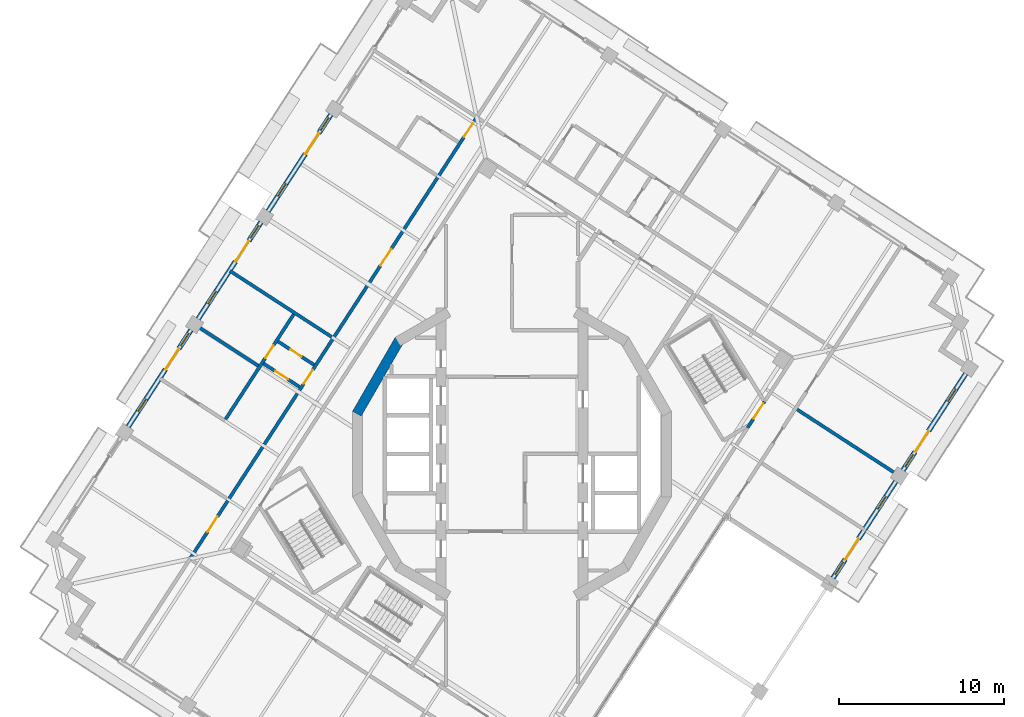
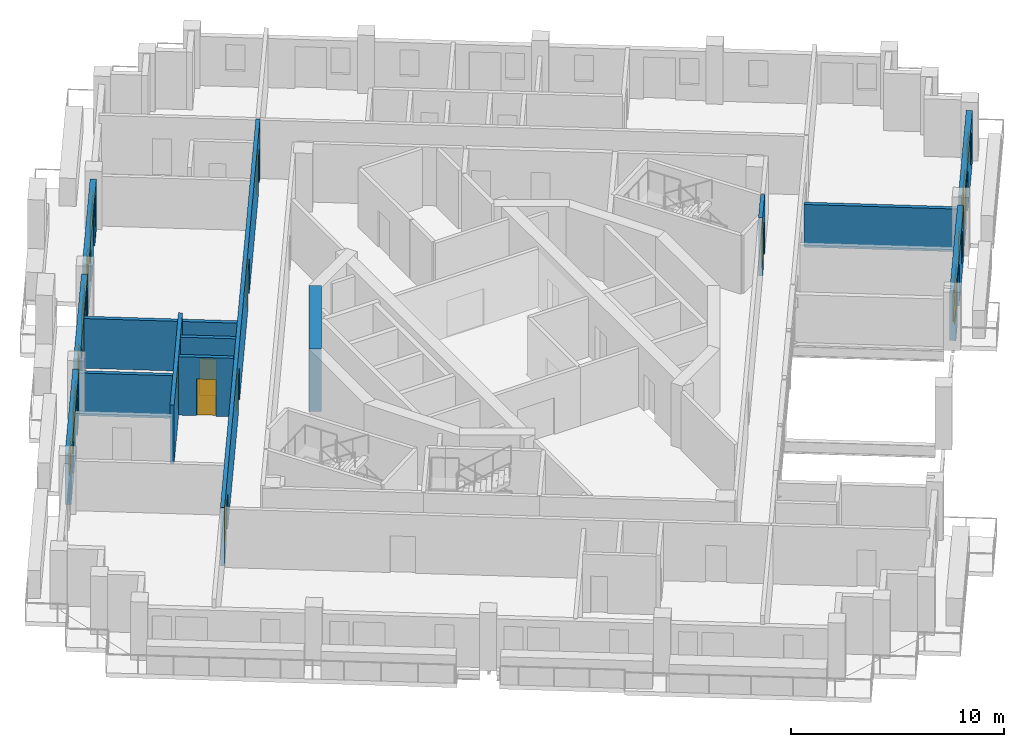
# One storey, part 8 of 17: 14 walls, 13 doors, 10 windows, 23 openings.
"""IFC4 building model written with IfcOpenShell, lengths in metres."""

from ifc_helpers import new_model, si_unit, direction, frame, frame_2d, origin, place, context, subcontext, project, spatial, rectangle, extrude, material, layer, layer_set, type_object, element, fill, save


model = new_model("IFC4")

# Units and contexts
model_context = context("Model", 3, precision=1e-05, world=origin(), true_north=direction((0.0, 1.0)))
body_context = subcontext(model_context, "Body", "Model", "MODEL_VIEW")
ifc_project = project(units=[si_unit("LENGTHUNIT", "METRE"), si_unit("AREAUNIT", "SQUARE_METRE"), si_unit("VOLUMEUNIT", "CUBIC_METRE"), si_unit("PLANEANGLEUNIT", "RADIAN"), si_unit("MASSUNIT", "GRAM", prefix="KILO")], contexts=[model_context])

# Site, building, storey
site_placement = place(None, origin())
site = spatial("IfcSite", under=ifc_project, at=site_placement, CompositionType="ELEMENT")
building_placement = place(site_placement, origin())
building = spatial("IfcBuilding", under=site, at=building_placement, Name="Cantera Rosa Tower", CompositionType="ELEMENT")
storey_placement = place(building_placement, frame((0.0, 0.0, 257.699951171875)))
storey = spatial("IfcBuildingStorey", under=building, at=storey_placement, Name="L57", CompositionType="ELEMENT", Elevation=257.699951171875)

# Wall, openings, doors
ifc_material_1 = material(Name="Gypsum board partition")
ifc_layer_1 = layer(ifc_material_1, 0.199951171875)
ifc_layer_set_1 = layer_set([ifc_layer_1], Name="CORRIDOR WALL 200 H3350")
wall_type_1 = type_object("IfcWallType", Name="CORRIDOR WALL 200 H3350", PredefinedType="PARTITIONING", material=ifc_layer_set_1)
wall_1_placement = place(storey_placement, frame((-2.1318359375, 20.402587890625, 0.0), z_axis=(0.0, 0.0, 1.0), x_axis=(-0.544643219415, -0.838667850549, 0.0)))
wall_1 = element("IfcWall", 1, at=wall_1_placement, inside=storey, type_object=wall_type_1, Name="CORRIDOR WALL L57-046", PredefinedType="PARTITIONING", context=body_context, shape_type="SweptSolid", body=[
    extrude(rectangle(XDim=31.880126953125, YDim=0.199951171875, at=frame_2d((15.93994140625, 0.0))), origin(), (0.0, 0.0, 1.0), 3.35009765625),
])
opening_1_placement = place(wall_1_placement, frame((9.514892578125, 0.0, 0.0)))
opening_1 = element("IfcOpeningElement", 2, at=opening_1_placement, cuts=wall_1, Name="Opening L57-027", PredefinedType="OPENING", context=body_context, shape_type="SweptSolid", body=[
    extrude(rectangle(XDim=1.199951171875, YDim=2.10009765625, at=frame_2d((0.60009765625, 1.050048828125))), frame((0.0, 0.10986328125, 0.0), z_axis=(0.0, -1.0, 0.0), x_axis=(1.0, 0.0, 0.0)), (0.0, 0.0, 1.0), 0.219970703125),
])
opening_2_placement = place(wall_1_placement, frame((18.25, 0.0, 0.0)))
opening_2 = element("IfcOpeningElement", 3, at=opening_2_placement, cuts=wall_1, Name="Opening L57-028", PredefinedType="OPENING", context=body_context, shape_type="SweptSolid", body=[
    extrude(rectangle(XDim=1.0, YDim=2.10009765625, at=frame_2d((0.5, 1.050048828125))), frame((0.0, 0.10986328125, 0.0), z_axis=(0.0, -1.0, 0.0), x_axis=(1.0, 0.0, 0.0)), (0.0, 0.0, 1.0), 0.219970703125),
])
opening_3_placement = place(wall_1_placement, frame((0.43994140625, 0.0, 0.0)))
opening_3 = element("IfcOpeningElement", 4, at=opening_3_placement, cuts=wall_1, Name="Opening L57-033", PredefinedType="OPENING", context=body_context, shape_type="SweptSolid", body=[
    extrude(rectangle(XDim=1.0, YDim=2.10009765625, at=frame_2d((0.5, 1.050048828125))), frame((0.0, 0.10986328125, 0.0), z_axis=(0.0, -1.0, 0.0), x_axis=(1.0, 0.0, 0.0)), (0.0, 0.0, 1.0), 0.219970703125),
])
opening_4_placement = place(wall_1_placement, frame((28.85009765625, 0.0, 0.0)))
opening_4 = element("IfcOpeningElement", 5, at=opening_4_placement, cuts=wall_1, Name="Opening L57-036", PredefinedType="OPENING", context=body_context, shape_type="SweptSolid", body=[
    extrude(rectangle(XDim=1.10009765625, YDim=2.10009765625, at=frame_2d((0.550048828125, 1.050048828125))), frame((0.0, 0.10986328125, 0.0), z_axis=(0.0, -1.0, 0.0), x_axis=(1.0, 0.0, 0.0)), (0.0, 0.0, 1.0), 0.219970703125),
])
ifc_material_2 = material(Name="Timber door leaf", Category="wood")
door_type_1 = type_object("IfcDoorType", Name="ENTRANCE DOOR 1000x2100", OperationType="NOTDEFINED", PredefinedType="DOOR", material=ifc_material_2)
door_1_placement = place(opening_2_placement, origin())
door_1 = element("IfcDoor", 6, at=door_1_placement, inside=storey, type_object=door_type_1, Name="DOOR L57-028", OperationType="NOTDEFINED", OverallHeight=2.10009765625, OverallWidth=1.0, PredefinedType="DOOR", context=body_context, shape_type="SweptSolid", body=[
    extrude(rectangle(XDim=1.0, YDim=2.10009765625, at=frame_2d((0.5, 1.050048828125))), frame((0.0, 0.02490234375, 0.0), z_axis=(0.0, -1.0, 0.0), x_axis=(1.0, 0.0, 0.0)), (0.0, 0.0, 1.0), 0.050048828125),
])
fill(opening_2, door_1)
door_2_placement = place(opening_3_placement, origin())
door_2 = element("IfcDoor", 7, at=door_2_placement, inside=storey, type_object=door_type_1, Name="DOOR L57-033", OperationType="NOTDEFINED", OverallHeight=2.10009765625, OverallWidth=1.0, PredefinedType="DOOR", context=body_context, shape_type="SweptSolid", body=[
    extrude(rectangle(XDim=1.0, YDim=2.10009765625, at=frame_2d((0.5, 1.050048828125))), frame((0.0, 0.02490234375, 0.0), z_axis=(0.0, -1.0, 0.0), x_axis=(1.0, 0.0, 0.0)), (0.0, 0.0, 1.0), 0.050048828125),
])
fill(opening_3, door_2)
ifc_material_3 = material(Name="Timber door leaf", Category="wood")
door_type_2 = type_object("IfcDoorType", Name="ROOM DOOR 1100x2100", OperationType="NOTDEFINED", PredefinedType="DOOR", material=ifc_material_3)
door_3_placement = place(opening_4_placement, origin())
door_3 = element("IfcDoor", 8, at=door_3_placement, inside=storey, type_object=door_type_2, Name="DOOR L57-036", OperationType="NOTDEFINED", OverallHeight=2.10009765625, OverallWidth=1.10009765625, PredefinedType="DOOR", context=body_context, shape_type="SweptSolid", body=[
    extrude(rectangle(XDim=1.10009765625, YDim=2.10009765625, at=frame_2d((0.550048828125, 1.050048828125))), frame((0.0, 0.02490234375, 0.0), z_axis=(0.0, -1.0, 0.0), x_axis=(1.0, 0.0, 0.0)), (0.0, 0.0, 1.0), 0.050048828125),
])
fill(opening_4, door_3)
ifc_material_4 = material(Name="Timber door leaf", Category="wood")
door_type_3 = type_object("IfcDoorType", Name="ROOM DOOR 1200x2100", OperationType="NOTDEFINED", PredefinedType="DOOR", material=ifc_material_4)
door_4_placement = place(opening_1_placement, origin())
door_4 = element("IfcDoor", 9, at=door_4_placement, inside=storey, type_object=door_type_3, Name="DOOR L57-027", OperationType="NOTDEFINED", OverallHeight=2.10009765625, OverallWidth=1.199951171875, PredefinedType="DOOR", context=body_context, shape_type="SweptSolid", body=[
    extrude(rectangle(XDim=1.199951171875, YDim=2.10009765625, at=frame_2d((0.60009765625, 1.050048828125))), frame((0.0, 0.02490234375, 0.0), z_axis=(0.0, -1.0, 0.0), x_axis=(1.0, 0.0, 0.0)), (0.0, 0.0, 1.0), 0.050048828125),
])
fill(opening_1, door_4)

# Wall, openings, windows, door
ifc_material_5 = material(Name="Hollow clay masonry with cantera stone cladding", Category="masonry")
ifc_layer_2 = layer(ifc_material_5, 0.300048828125)
ifc_layer_set_2 = layer_set([ifc_layer_2], Name="EW-LOGGIA 300 H2890")
wall_type_2 = type_object("IfcWallType", Name="EW-LOGGIA 300 H2890", PredefinedType="SOLIDWALL", material=ifc_layer_set_2)
wall_2_placement = place(storey_placement, frame((-10.970703125, 20.5625, 0.0), z_axis=(0.0, 0.0, 1.0), x_axis=(-0.544651451949, -0.838662504164, 0.0)))
wall_2 = element("IfcWall", 10, at=wall_2_placement, inside=storey, type_object=wall_type_2, Name="EN-L57-W08", PredefinedType="SOLIDWALL", context=body_context, shape_type="SweptSolid", body=[
    extrude(rectangle(XDim=6.980224609375, YDim=0.300048828125, at=frame_2d((3.490234375, 0.0))), origin(), (0.0, 0.0, 1.0), 2.89013671875),
])
opening_5_placement = place(wall_2_placement, frame((0.2451171875, 0.0, 0.89990234375)))
opening_5 = element("IfcOpeningElement", 11, at=opening_5_placement, cuts=wall_2, Name="Opening L57-W16", PredefinedType="OPENING", context=body_context, shape_type="SweptSolid", body=[
    extrude(rectangle(XDim=0.89990234375, YDim=1.5, at=frame_2d((0.449951171875, 0.75))), frame((0.0, 0.159912109375, 0.0), z_axis=(0.0, -1.0, 0.0), x_axis=(1.0, 0.0, 0.0)), (0.0, 0.0, 1.0), 0.320068359375),
])
opening_6_placement = place(wall_2_placement, frame((1.344970703125, 0.0, 0.0)))
opening_6 = element("IfcOpeningElement", 12, at=opening_6_placement, cuts=wall_2, Name="Opening L57-TD17", PredefinedType="OPENING", context=body_context, shape_type="SweptSolid", body=[
    extrude(rectangle(XDim=1.5, YDim=2.39990234375, at=frame_2d((0.75, 1.199951171875))), frame((0.0, 0.159912109375, 0.0), z_axis=(0.0, -1.0, 0.0), x_axis=(1.0, 0.0, 0.0)), (0.0, 0.0, 1.0), 0.320068359375),
])
opening_7_placement = place(wall_2_placement, frame((4.985107421875, 0.0, 0.89990234375)))
opening_7 = element("IfcOpeningElement", 13, at=opening_7_placement, cuts=wall_2, Name="Opening L57-W18", PredefinedType="OPENING", context=body_context, shape_type="SweptSolid", body=[
    extrude(rectangle(XDim=0.89990234375, YDim=1.5, at=frame_2d((0.449951171875, 0.75))), frame((0.0, 0.159912109375, 0.0), z_axis=(0.0, -1.0, 0.0), x_axis=(1.0, 0.0, 0.0)), (0.0, 0.0, 1.0), 0.320068359375),
])
ifc_material_6 = material(Name="Aluminium frame with clear glass", Category="aluminium")
window_type = type_object("IfcWindowType", Name="Residential window 900x1500", PartitioningType="SINGLE_PANEL", PredefinedType="WINDOW", material=ifc_material_6)
window_1_placement = place(opening_5_placement, origin())
window_1 = element("IfcWindow", 14, at=window_1_placement, inside=storey, type_object=window_type, Name="WINDOW L57-W16", OverallHeight=1.5, OverallWidth=0.89990234375, PartitioningType="SINGLE_PANEL", PredefinedType="WINDOW", context=body_context, shape_type="SweptSolid", body=[
    extrude(rectangle(XDim=0.89990234375, YDim=1.5, at=frame_2d((0.449951171875, 0.75))), frame((0.0, 0.030029296875, 0.0), z_axis=(0.0, -1.0, 0.0), x_axis=(1.0, 0.0, 0.0)), (0.0, 0.0, 1.0), 0.06005859375),
])
fill(opening_5, window_1)
window_2_placement = place(opening_7_placement, origin())
window_2 = element("IfcWindow", 15, at=window_2_placement, inside=storey, type_object=window_type, Name="WINDOW L57-W18", OverallHeight=1.5, OverallWidth=0.89990234375, PartitioningType="SINGLE_PANEL", PredefinedType="WINDOW", context=body_context, shape_type="SweptSolid", body=[
    extrude(rectangle(XDim=0.89990234375, YDim=1.5, at=frame_2d((0.449951171875, 0.75))), frame((0.0, 0.030029296875, 0.0), z_axis=(0.0, -1.0, 0.0), x_axis=(1.0, 0.0, 0.0)), (0.0, 0.0, 1.0), 0.06005859375),
])
fill(opening_7, window_2)
ifc_material_7 = material(Name="Aluminium frame with clear glass", Category="aluminium")
door_type_4 = type_object("IfcDoorType", Name="TD-R 1500x2400", OperationType="NOTDEFINED", PredefinedType="DOOR", material=ifc_material_7)
door_5_placement = place(opening_6_placement, origin())
door_5 = element("IfcDoor", 16, at=door_5_placement, inside=storey, type_object=door_type_4, Name="LOGGIA DOOR L57-TD17", OperationType="SLIDING_TO_LEFT", OverallHeight=2.39990234375, OverallWidth=1.5, PredefinedType="DOOR", context=body_context, shape_type="SweptSolid", body=[
    extrude(rectangle(XDim=1.5, YDim=2.39990234375, at=frame_2d((0.75, 1.199951171875))), frame((0.0, 0.02490234375, 0.0), z_axis=(0.0, -1.0, 0.0), x_axis=(1.0, 0.0, 0.0)), (0.0, 0.0, 1.0), 0.050048828125),
])
fill(opening_6, door_5)

wall_3_placement = place(storey_placement, frame((-15.2080078125, 14.03759765625, 0.0), z_axis=(0.0, 0.0, 1.0), x_axis=(-0.544651451949, -0.838662504164, 0.0)))
wall_3 = element("IfcWall", 17, at=wall_3_placement, inside=storey, type_object=wall_type_2, Name="EN-L57-W09", PredefinedType="SOLIDWALL", context=body_context, shape_type="SweptSolid", body=[
    extrude(rectangle(XDim=6.980224609375, YDim=0.300048828125, at=frame_2d((3.490234375, 0.0))), origin(), (0.0, 0.0, 1.0), 2.89013671875),
])
opening_8_placement = place(wall_3_placement, frame((0.2451171875, 0.0, 0.89990234375)))
opening_8 = element("IfcOpeningElement", 18, at=opening_8_placement, cuts=wall_3, Name="Opening L57-W19", PredefinedType="OPENING", context=body_context, shape_type="SweptSolid", body=[
    extrude(rectangle(XDim=0.89990234375, YDim=1.5, at=frame_2d((0.449951171875, 0.75))), frame((0.0, 0.159912109375, 0.0), z_axis=(0.0, -1.0, 0.0), x_axis=(1.0, 0.0, 0.0)), (0.0, 0.0, 1.0), 0.320068359375),
])
opening_9_placement = place(wall_3_placement, frame((1.344970703125, 0.0, 0.0)))
opening_9 = element("IfcOpeningElement", 19, at=opening_9_placement, cuts=wall_3, Name="Opening L57-TD20", PredefinedType="OPENING", context=body_context, shape_type="SweptSolid", body=[
    extrude(rectangle(XDim=1.5, YDim=2.39990234375, at=frame_2d((0.75, 1.199951171875))), frame((0.0, 0.159912109375, 0.0), z_axis=(0.0, -1.0, 0.0), x_axis=(1.0, 0.0, 0.0)), (0.0, 0.0, 1.0), 0.320068359375),
])
opening_10_placement = place(wall_3_placement, frame((4.985107421875, 0.0, 0.89990234375)))
opening_10 = element("IfcOpeningElement", 20, at=opening_10_placement, cuts=wall_3, Name="Opening L57-W21", PredefinedType="OPENING", context=body_context, shape_type="SweptSolid", body=[
    extrude(rectangle(XDim=0.89990234375, YDim=1.5, at=frame_2d((0.449951171875, 0.75))), frame((0.0, 0.159912109375, 0.0), z_axis=(0.0, -1.0, 0.0), x_axis=(1.0, 0.0, 0.0)), (0.0, 0.0, 1.0), 0.320068359375),
])
window_3_placement = place(opening_8_placement, origin())
window_3 = element("IfcWindow", 21, at=window_3_placement, inside=storey, type_object=window_type, Name="WINDOW L57-W19", OverallHeight=1.5, OverallWidth=0.89990234375, PartitioningType="SINGLE_PANEL", PredefinedType="WINDOW", context=body_context, shape_type="SweptSolid", body=[
    extrude(rectangle(XDim=0.89990234375, YDim=1.5, at=frame_2d((0.449951171875, 0.75))), frame((0.0, 0.030029296875, 0.0), z_axis=(0.0, -1.0, 0.0), x_axis=(1.0, 0.0, 0.0)), (0.0, 0.0, 1.0), 0.06005859375),
])
fill(opening_8, window_3)
window_4_placement = place(opening_10_placement, origin())
window_4 = element("IfcWindow", 22, at=window_4_placement, inside=storey, type_object=window_type, Name="WINDOW L57-W21", OverallHeight=1.5, OverallWidth=0.89990234375, PartitioningType="SINGLE_PANEL", PredefinedType="WINDOW", context=body_context, shape_type="SweptSolid", body=[
    extrude(rectangle(XDim=0.89990234375, YDim=1.5, at=frame_2d((0.449951171875, 0.75))), frame((0.0, 0.030029296875, 0.0), z_axis=(0.0, -1.0, 0.0), x_axis=(1.0, 0.0, 0.0)), (0.0, 0.0, 1.0), 0.06005859375),
])
fill(opening_10, window_4)
door_6_placement = place(opening_9_placement, origin())
door_6 = element("IfcDoor", 23, at=door_6_placement, inside=storey, type_object=door_type_4, Name="LOGGIA DOOR L57-TD20", OperationType="SLIDING_TO_LEFT", OverallHeight=2.39990234375, OverallWidth=1.5, PredefinedType="DOOR", context=body_context, shape_type="SweptSolid", body=[
    extrude(rectangle(XDim=1.5, YDim=2.39990234375, at=frame_2d((0.75, 1.199951171875))), frame((0.0, 0.02490234375, 0.0), z_axis=(0.0, -1.0, 0.0), x_axis=(1.0, 0.0, 0.0)), (0.0, 0.0, 1.0), 0.050048828125),
])
fill(opening_9, door_6)

wall_4_placement = place(storey_placement, frame((-19.4453125, 7.5126953125, 0.0), z_axis=(0.0, 0.0, 1.0), x_axis=(-0.544667428764, -0.838652128146, 0.0)))
wall_4 = element("IfcWall", 24, at=wall_4_placement, inside=storey, type_object=wall_type_2, Name="EN-L57-W10", PredefinedType="SOLIDWALL", context=body_context, shape_type="SweptSolid", body=[
    extrude(rectangle(XDim=6.97998046875, YDim=0.300048828125, at=frame_2d((3.489990234375, 0.0))), origin(), (0.0, 0.0, 1.0), 2.89013671875),
])
opening_11_placement = place(wall_4_placement, frame((0.2451171875, 0.0, 0.89990234375)))
opening_11 = element("IfcOpeningElement", 25, at=opening_11_placement, cuts=wall_4, Name="Opening L57-W22", PredefinedType="OPENING", context=body_context, shape_type="SweptSolid", body=[
    extrude(rectangle(XDim=0.89990234375, YDim=1.5, at=frame_2d((0.449951171875, 0.75))), frame((0.0, 0.159912109375, 0.0), z_axis=(0.0, -1.0, 0.0), x_axis=(1.0, 0.0, 0.0)), (0.0, 0.0, 1.0), 0.320068359375),
])
opening_12_placement = place(wall_4_placement, frame((1.344970703125, 0.0, 0.0)))
opening_12 = element("IfcOpeningElement", 26, at=opening_12_placement, cuts=wall_4, Name="Opening L57-TD23", PredefinedType="OPENING", context=body_context, shape_type="SweptSolid", body=[
    extrude(rectangle(XDim=1.5, YDim=2.39990234375, at=frame_2d((0.75, 1.199951171875))), frame((0.0, 0.159912109375, 0.0), z_axis=(0.0, -1.0, 0.0), x_axis=(1.0, 0.0, 0.0)), (0.0, 0.0, 1.0), 0.320068359375),
])
opening_13_placement = place(wall_4_placement, frame((4.985107421875, 0.0, 0.89990234375)))
opening_13 = element("IfcOpeningElement", 27, at=opening_13_placement, cuts=wall_4, Name="Opening L57-W24", PredefinedType="OPENING", context=body_context, shape_type="SweptSolid", body=[
    extrude(rectangle(XDim=0.89990234375, YDim=1.5, at=frame_2d((0.449951171875, 0.75))), frame((0.0, 0.159912109375, 0.0), z_axis=(0.0, -1.0, 0.0), x_axis=(1.0, 0.0, 0.0)), (0.0, 0.0, 1.0), 0.320068359375),
])
window_5_placement = place(opening_11_placement, origin())
window_5 = element("IfcWindow", 28, at=window_5_placement, inside=storey, type_object=window_type, Name="WINDOW L57-W22", OverallHeight=1.5, OverallWidth=0.89990234375, PartitioningType="SINGLE_PANEL", PredefinedType="WINDOW", context=body_context, shape_type="SweptSolid", body=[
    extrude(rectangle(XDim=0.89990234375, YDim=1.5, at=frame_2d((0.449951171875, 0.75))), frame((0.0, 0.030029296875, 0.0), z_axis=(0.0, -1.0, 0.0), x_axis=(1.0, 0.0, 0.0)), (0.0, 0.0, 1.0), 0.06005859375),
])
fill(opening_11, window_5)
window_6_placement = place(opening_13_placement, origin())
window_6 = element("IfcWindow", 29, at=window_6_placement, inside=storey, type_object=window_type, Name="WINDOW L57-W24", OverallHeight=1.5, OverallWidth=0.89990234375, PartitioningType="SINGLE_PANEL", PredefinedType="WINDOW", context=body_context, shape_type="SweptSolid", body=[
    extrude(rectangle(XDim=0.89990234375, YDim=1.5, at=frame_2d((0.449951171875, 0.75))), frame((0.0, 0.030029296875, 0.0), z_axis=(0.0, -1.0, 0.0), x_axis=(1.0, 0.0, 0.0)), (0.0, 0.0, 1.0), 0.06005859375),
])
fill(opening_13, window_6)
door_7_placement = place(opening_12_placement, origin())
door_7 = element("IfcDoor", 30, at=door_7_placement, inside=storey, type_object=door_type_4, Name="LOGGIA DOOR L57-TD23", OperationType="SLIDING_TO_LEFT", OverallHeight=2.39990234375, OverallWidth=1.5, PredefinedType="DOOR", context=body_context, shape_type="SweptSolid", body=[
    extrude(rectangle(XDim=1.5, YDim=2.39990234375, at=frame_2d((0.75, 1.199951171875))), frame((0.0, 0.02490234375, 0.0), z_axis=(0.0, -1.0, 0.0), x_axis=(1.0, 0.0, 0.0)), (0.0, 0.0, 1.0), 0.050048828125),
])
fill(opening_12, door_7)

wall_5_placement = place(storey_placement, frame((19.4453125, -7.5126953125, 0.0), z_axis=(0.0, 0.0, 1.0), x_axis=(0.544667428764, 0.838652128146, 0.0)))
wall_5 = element("IfcWall", 31, at=wall_5_placement, inside=storey, type_object=wall_type_2, Name="EN-L57-W23", PredefinedType="SOLIDWALL", context=body_context, shape_type="SweptSolid", body=[
    extrude(rectangle(XDim=6.97998046875, YDim=0.300048828125, at=frame_2d((3.489990234375, 0.0))), origin(), (0.0, 0.0, 1.0), 2.89013671875),
])
opening_14_placement = place(wall_5_placement, frame((0.2451171875, 0.0, 0.89990234375)))
opening_14 = element("IfcOpeningElement", 32, at=opening_14_placement, cuts=wall_5, Name="Opening L57-W43", PredefinedType="OPENING", context=body_context, shape_type="SweptSolid", body=[
    extrude(rectangle(XDim=0.89990234375, YDim=1.5, at=frame_2d((0.449951171875, 0.75))), frame((0.0, 0.159912109375, 0.0), z_axis=(0.0, -1.0, 0.0), x_axis=(1.0, 0.0, 0.0)), (0.0, 0.0, 1.0), 0.320068359375),
])
opening_15_placement = place(wall_5_placement, frame((1.344970703125, 0.0, 0.0)))
opening_15 = element("IfcOpeningElement", 33, at=opening_15_placement, cuts=wall_5, Name="Opening L57-TD44", PredefinedType="OPENING", context=body_context, shape_type="SweptSolid", body=[
    extrude(rectangle(XDim=1.5, YDim=2.39990234375, at=frame_2d((0.75, 1.199951171875))), frame((0.0, 0.159912109375, 0.0), z_axis=(0.0, -1.0, 0.0), x_axis=(1.0, 0.0, 0.0)), (0.0, 0.0, 1.0), 0.320068359375),
])
opening_16_placement = place(wall_5_placement, frame((4.985107421875, 0.0, 0.89990234375)))
opening_16 = element("IfcOpeningElement", 34, at=opening_16_placement, cuts=wall_5, Name="Opening L57-W45", PredefinedType="OPENING", context=body_context, shape_type="SweptSolid", body=[
    extrude(rectangle(XDim=0.89990234375, YDim=1.5, at=frame_2d((0.449951171875, 0.75))), frame((0.0, 0.159912109375, 0.0), z_axis=(0.0, -1.0, 0.0), x_axis=(1.0, 0.0, 0.0)), (0.0, 0.0, 1.0), 0.320068359375),
])
window_7_placement = place(opening_14_placement, origin())
window_7 = element("IfcWindow", 35, at=window_7_placement, inside=storey, type_object=window_type, Name="WINDOW L57-W43", OverallHeight=1.5, OverallWidth=0.89990234375, PartitioningType="SINGLE_PANEL", PredefinedType="WINDOW", context=body_context, shape_type="SweptSolid", body=[
    extrude(rectangle(XDim=0.89990234375, YDim=1.5, at=frame_2d((0.449951171875, 0.75))), frame((0.0, 0.030029296875, 0.0), z_axis=(0.0, -1.0, 0.0), x_axis=(1.0, 0.0, 0.0)), (0.0, 0.0, 1.0), 0.06005859375),
])
fill(opening_14, window_7)
window_8_placement = place(opening_16_placement, origin())
window_8 = element("IfcWindow", 36, at=window_8_placement, inside=storey, type_object=window_type, Name="WINDOW L57-W45", OverallHeight=1.5, OverallWidth=0.89990234375, PartitioningType="SINGLE_PANEL", PredefinedType="WINDOW", context=body_context, shape_type="SweptSolid", body=[
    extrude(rectangle(XDim=0.89990234375, YDim=1.5, at=frame_2d((0.449951171875, 0.75))), frame((0.0, 0.030029296875, 0.0), z_axis=(0.0, -1.0, 0.0), x_axis=(1.0, 0.0, 0.0)), (0.0, 0.0, 1.0), 0.06005859375),
])
fill(opening_16, window_8)
door_8_placement = place(opening_15_placement, origin())
door_8 = element("IfcDoor", 37, at=door_8_placement, inside=storey, type_object=door_type_4, Name="LOGGIA DOOR L57-TD44", OperationType="SLIDING_TO_LEFT", OverallHeight=2.39990234375, OverallWidth=1.5, PredefinedType="DOOR", context=body_context, shape_type="SweptSolid", body=[
    extrude(rectangle(XDim=1.5, YDim=2.39990234375, at=frame_2d((0.75, 1.199951171875))), frame((0.0, 0.02490234375, 0.0), z_axis=(0.0, -1.0, 0.0), x_axis=(1.0, 0.0, 0.0)), (0.0, 0.0, 1.0), 0.050048828125),
])
fill(opening_15, door_8)

wall_6_placement = place(storey_placement, frame((23.6826171875, -0.98779296875, 0.0), z_axis=(0.0, 0.0, 1.0), x_axis=(0.544667428764, 0.838652128146, 0.0)))
wall_6 = element("IfcWall", 38, at=wall_6_placement, inside=storey, type_object=wall_type_2, Name="EN-L57-W24", PredefinedType="SOLIDWALL", context=body_context, shape_type="SweptSolid", body=[
    extrude(rectangle(XDim=6.97998046875, YDim=0.300048828125, at=frame_2d((3.489990234375, 0.0))), origin(), (0.0, 0.0, 1.0), 2.89013671875),
])
opening_17_placement = place(wall_6_placement, frame((0.2451171875, 0.0, 0.89990234375)))
opening_17 = element("IfcOpeningElement", 39, at=opening_17_placement, cuts=wall_6, Name="Opening L57-W46", PredefinedType="OPENING", context=body_context, shape_type="SweptSolid", body=[
    extrude(rectangle(XDim=0.89990234375, YDim=1.5, at=frame_2d((0.449951171875, 0.75))), frame((0.0, 0.159912109375, 0.0), z_axis=(0.0, -1.0, 0.0), x_axis=(1.0, 0.0, 0.0)), (0.0, 0.0, 1.0), 0.320068359375),
])
opening_18_placement = place(wall_6_placement, frame((1.344970703125, 0.0, 0.0)))
opening_18 = element("IfcOpeningElement", 40, at=opening_18_placement, cuts=wall_6, Name="Opening L57-TD47", PredefinedType="OPENING", context=body_context, shape_type="SweptSolid", body=[
    extrude(rectangle(XDim=1.5, YDim=2.39990234375, at=frame_2d((0.75, 1.199951171875))), frame((0.0, 0.159912109375, 0.0), z_axis=(0.0, -1.0, 0.0), x_axis=(1.0, 0.0, 0.0)), (0.0, 0.0, 1.0), 0.320068359375),
])
opening_19_placement = place(wall_6_placement, frame((4.985107421875, 0.0, 0.89990234375)))
opening_19 = element("IfcOpeningElement", 41, at=opening_19_placement, cuts=wall_6, Name="Opening L57-W48", PredefinedType="OPENING", context=body_context, shape_type="SweptSolid", body=[
    extrude(rectangle(XDim=0.89990234375, YDim=1.5, at=frame_2d((0.449951171875, 0.75))), frame((0.0, 0.159912109375, 0.0), z_axis=(0.0, -1.0, 0.0), x_axis=(1.0, 0.0, 0.0)), (0.0, 0.0, 1.0), 0.320068359375),
])
window_9_placement = place(opening_17_placement, origin())
window_9 = element("IfcWindow", 42, at=window_9_placement, inside=storey, type_object=window_type, Name="WINDOW L57-W46", OverallHeight=1.5, OverallWidth=0.89990234375, PartitioningType="SINGLE_PANEL", PredefinedType="WINDOW", context=body_context, shape_type="SweptSolid", body=[
    extrude(rectangle(XDim=0.89990234375, YDim=1.5, at=frame_2d((0.449951171875, 0.75))), frame((0.0, 0.030029296875, 0.0), z_axis=(0.0, -1.0, 0.0), x_axis=(1.0, 0.0, 0.0)), (0.0, 0.0, 1.0), 0.06005859375),
])
fill(opening_17, window_9)
window_10_placement = place(opening_19_placement, origin())
window_10 = element("IfcWindow", 43, at=window_10_placement, inside=storey, type_object=window_type, Name="WINDOW L57-W48", OverallHeight=1.5, OverallWidth=0.89990234375, PartitioningType="SINGLE_PANEL", PredefinedType="WINDOW", context=body_context, shape_type="SweptSolid", body=[
    extrude(rectangle(XDim=0.89990234375, YDim=1.5, at=frame_2d((0.449951171875, 0.75))), frame((0.0, 0.030029296875, 0.0), z_axis=(0.0, -1.0, 0.0), x_axis=(1.0, 0.0, 0.0)), (0.0, 0.0, 1.0), 0.06005859375),
])
fill(opening_19, window_10)
door_9_placement = place(opening_18_placement, origin())
door_9 = element("IfcDoor", 44, at=door_9_placement, inside=storey, type_object=door_type_4, Name="LOGGIA DOOR L57-TD47", OperationType="SLIDING_TO_LEFT", OverallHeight=2.39990234375, OverallWidth=1.5, PredefinedType="DOOR", context=body_context, shape_type="SweptSolid", body=[
    extrude(rectangle(XDim=1.5, YDim=2.39990234375, at=frame_2d((0.75, 1.199951171875))), frame((0.0, 0.02490234375, 0.0), z_axis=(0.0, -1.0, 0.0), x_axis=(1.0, 0.0, 0.0)), (0.0, 0.0, 1.0), 0.050048828125),
])
fill(opening_18, door_9)

# Walls
ifc_material_8 = material(Name="Gypsum board partition")
ifc_layer_3 = layer(ifc_material_8, 0.199951171875)
ifc_layer_set_3 = layer_set([ifc_layer_3], Name="PARTITION 200 H2450")
wall_type_3 = type_object("IfcWallType", Name="PARTITION 200 H2450", PredefinedType="PARTITIONING", material=ifc_layer_set_3)
wall_7_placement = place(storey_placement, frame((-15.36962890625, 5.343017578125, 0.0), z_axis=(0.0, 0.0, 1.0), x_axis=(-0.838696184812, 0.544599586469, 0.0)))
element("IfcWall", 45, at=wall_7_placement, inside=storey, type_object=wall_type_3, Name="PARTITION L57-010", PredefinedType="PARTITIONING", context=body_context, shape_type="SweptSolid", body=[
    extrude(rectangle(XDim=4.56982421875, YDim=0.199951171875, at=frame_2d((2.284912109375, 0.0))), origin(), (0.0, 0.0, 1.0), 2.449951171875),
])
wall_8_placement = place(storey_placement, frame((17.275390625, 2.696044921875, 0.0), z_axis=(0.0, 0.0, 1.0), x_axis=(0.838684106336, -0.544618187155, 0.0)))
element("IfcWall", 46, at=wall_8_placement, inside=storey, type_object=wall_type_3, Name="PARTITION L57-099", PredefinedType="PARTITIONING", context=body_context, shape_type="SweptSolid", body=[
    extrude(rectangle(XDim=7.349853515625, YDim=0.199951171875, at=frame_2d((3.6748046875, 0.0))), origin(), (0.0, 0.0, 1.0), 2.449951171875),
])

# Wall, opening, door
ifc_material_9 = material(Name="Gypsum board partition")
ifc_layer_4 = layer(ifc_material_9, 0.199951171875)
ifc_layer_set_4 = layer_set([ifc_layer_4], Name="PARTITION 200 H3350")
wall_type_4 = type_object("IfcWallType", Name="PARTITION 200 H3350", PredefinedType="PARTITIONING", material=ifc_layer_set_4)
wall_9_placement = place(storey_placement, frame((-13.2216796875, 8.467041015625, 0.0), z_axis=(0.0, 0.0, 1.0), x_axis=(-0.544640749503, -0.838669454542, 0.0)))
wall_9 = element("IfcWall", 47, at=wall_9_placement, inside=storey, type_object=wall_type_4, Name="PARTITION L57-012", PredefinedType="PARTITIONING", context=body_context, shape_type="SweptSolid", body=[
    extrude(rectangle(XDim=7.580078125, YDim=0.199951171875, at=frame_2d((3.7900390625, 0.0))), origin(), (0.0, 0.0, 1.0), 3.35009765625),
])
opening_20_placement = place(wall_9_placement, frame((2.25, 0.0, 0.0)))
opening_20 = element("IfcOpeningElement", 48, at=opening_20_placement, cuts=wall_9, Name="Opening L57-031", PredefinedType="OPENING", context=body_context, shape_type="SweptSolid", body=[
    extrude(rectangle(XDim=0.89990234375, YDim=2.10009765625, at=frame_2d((0.449951171875, 1.050048828125))), frame((0.0, 0.10986328125, 0.0), z_axis=(0.0, -1.0, 0.0), x_axis=(1.0, 0.0, 0.0)), (0.0, 0.0, 1.0), 0.219970703125),
])
ifc_material_10 = material(Name="Timber door leaf", Category="wood")
door_type_5 = type_object("IfcDoorType", Name="ROOM DOOR 900x2100", OperationType="NOTDEFINED", PredefinedType="DOOR", material=ifc_material_10)
door_10_placement = place(opening_20_placement, origin())
door_10 = element("IfcDoor", 49, at=door_10_placement, inside=storey, type_object=door_type_5, Name="DOOR L57-031", OperationType="NOTDEFINED", OverallHeight=2.10009765625, OverallWidth=0.89990234375, PredefinedType="DOOR", context=body_context, shape_type="SweptSolid", body=[
    extrude(rectangle(XDim=0.89990234375, YDim=2.10009765625, at=frame_2d((0.449951171875, 1.050048828125))), frame((0.0, 0.02490234375, 0.0), z_axis=(0.0, -1.0, 0.0), x_axis=(1.0, 0.0, 0.0)), (0.0, 0.0, 1.0), 0.050048828125),
])
fill(opening_20, door_10)

wall_10_placement = place(storey_placement, frame((-12.880126953125, 4.072021484375, 0.0), z_axis=(0.0, 0.0, 1.0), x_axis=(-0.838657579454, 0.544659035015, 0.0)))
wall_10 = element("IfcWall", 50, at=wall_10_placement, inside=storey, type_object=wall_type_4, Name="PARTITION L57-014", PredefinedType="PARTITIONING", context=body_context, shape_type="SweptSolid", body=[
    extrude(rectangle(XDim=2.580078125, YDim=0.199951171875, at=frame_2d((1.2900390625, 0.0))), origin(), (0.0, 0.0, 1.0), 3.35009765625),
])
opening_21_placement = place(wall_10_placement, frame((0.830078125, 0.0, 0.0)))
opening_21 = element("IfcOpeningElement", 51, at=opening_21_placement, cuts=wall_10, Name="Opening L57-030", PredefinedType="OPENING", context=body_context, shape_type="SweptSolid", body=[
    extrude(rectangle(XDim=0.89990234375, YDim=2.10009765625, at=frame_2d((0.449951171875, 1.050048828125))), frame((0.0, 0.10986328125, 0.0), z_axis=(0.0, -1.0, 0.0), x_axis=(1.0, 0.0, 0.0)), (0.0, 0.0, 1.0), 0.219970703125),
])
door_11_placement = place(opening_21_placement, origin())
door_11 = element("IfcDoor", 52, at=door_11_placement, inside=storey, type_object=door_type_5, Name="DOOR L57-030", OperationType="NOTDEFINED", OverallHeight=2.10009765625, OverallWidth=0.89990234375, PredefinedType="DOOR", context=body_context, shape_type="SweptSolid", body=[
    extrude(rectangle(XDim=0.89990234375, YDim=2.10009765625, at=frame_2d((0.449951171875, 1.050048828125))), frame((0.0, 0.02490234375, 0.0), z_axis=(0.0, -1.0, 0.0), x_axis=(1.0, 0.0, 0.0)), (0.0, 0.0, 1.0), 0.050048828125),
])
fill(opening_21, door_11)

wall_11_placement = place(storey_placement, frame((-11.991943359375, 5.403076171875, 0.0), z_axis=(0.0, 0.0, 1.0), x_axis=(-0.838692381994, 0.544605442853, 0.0)))
wall_11 = element("IfcWall", 53, at=wall_11_placement, inside=storey, type_object=wall_type_4, Name="PARTITION L57-016", PredefinedType="PARTITIONING", context=body_context, shape_type="SweptSolid", body=[
    extrude(rectangle(XDim=2.60009765625, YDim=0.199951171875, at=frame_2d((1.300048828125, 0.0))), origin(), (0.0, 0.0, 1.0), 3.35009765625),
])
opening_22_placement = place(wall_11_placement, frame((0.89990234375, 0.0, 0.0)))
opening_22 = element("IfcOpeningElement", 54, at=opening_22_placement, cuts=wall_11, Name="Opening L57-029", PredefinedType="OPENING", context=body_context, shape_type="SweptSolid", body=[
    extrude(rectangle(XDim=0.800048828125, YDim=2.10009765625, at=frame_2d((0.39990234375, 1.050048828125))), frame((0.0, 0.10986328125, 0.0), z_axis=(0.0, -1.0, 0.0), x_axis=(1.0, 0.0, 0.0)), (0.0, 0.0, 1.0), 0.219970703125),
])
ifc_material_11 = material(Name="Timber door leaf", Category="wood")
door_type_6 = type_object("IfcDoorType", Name="BATHROOM DOOR 800x2100", OperationType="NOTDEFINED", PredefinedType="DOOR", material=ifc_material_11)
door_12_placement = place(opening_22_placement, origin())
door_12 = element("IfcDoor", 55, at=door_12_placement, inside=storey, type_object=door_type_6, Name="DOOR L57-029", OperationType="NOTDEFINED", OverallHeight=2.10009765625, OverallWidth=0.800048828125, PredefinedType="DOOR", context=body_context, shape_type="SweptSolid", body=[
    extrude(rectangle(XDim=0.800048828125, YDim=2.10009765625, at=frame_2d((0.39990234375, 1.050048828125))), frame((0.0, 0.02490234375, 0.0), z_axis=(0.0, -1.0, 0.0), x_axis=(1.0, 0.0, 0.0)), (0.0, 0.0, 1.0), 0.050048828125),
])
fill(opening_22, door_12)

# Walls
ifc_material_12 = material(Name="Gypsum board partition")
ifc_layer_5 = layer(ifc_material_12, 0.199951171875)
ifc_layer_set_5 = layer_set([ifc_layer_5], Name="PARTY WALL 200 H2850")
wall_type_5 = type_object("IfcWallType", Name="PARTY WALL 200 H2850", PredefinedType="PARTITIONING", material=ifc_layer_set_5)
wall_12_placement = place(storey_placement, frame((-10.91943359375, 7.09130859375, 0.0), z_axis=(0.0, 0.0, 1.0), x_axis=(-0.838684106336, 0.544618187155, 0.0)))
element("IfcWall", 56, at=wall_12_placement, inside=storey, type_object=wall_type_5, Name="PARTY WALL L57-017", PredefinedType="PARTITIONING", context=body_context, shape_type="SweptSolid", body=[
    extrude(rectangle(XDim=7.349853515625, YDim=0.199951171875, at=frame_2d((3.6748046875, 0.0))), origin(), (0.0, 0.0, 1.0), 2.85009765625),
])
ifc_material_13 = material(Name="Concrete C50/60", Category="concrete")
ifc_layer_6 = layer(ifc_material_13, 0.60009765625)
ifc_layer_set_6 = layer_set([ifc_layer_6], Name="RC CORE WALL 600 C50/60")
wall_type_6 = type_object("IfcWallType", Name="RC CORE WALL 600 C50/60", PredefinedType="SHEAR", material=ifc_layer_set_6)
wall_13_placement = place(storey_placement, frame((-9.3994140625, 2.438232421875, 0.0), z_axis=(0.0, 0.0, 1.0), x_axis=(0.499989188378, 0.866031645787, 0.0)))
element("IfcWall", 57, at=wall_13_placement, inside=storey, type_object=wall_type_6, Name="CW-W4 L57", PredefinedType="SHEAR", context=body_context, shape_type="SweptSolid", body=[
    extrude(rectangle(XDim=5.17626953125, YDim=0.60009765625, at=frame_2d((2.588134765625, 0.0))), origin(), (0.0, 0.0, 1.0), 3.60009765625),
])

# Wall, opening, door
ifc_material_14 = material(Name="Concrete C50/60", Category="concrete")
ifc_layer_7 = layer(ifc_material_14, 0.199951171875)
ifc_layer_set_7 = layer_set([ifc_layer_7], Name="STAIR WALL 200 H3350")
wall_type_7 = type_object("IfcWallType", Name="STAIR WALL 200 H3350", PredefinedType="SOLIDWALL", material=ifc_layer_set_7)
wall_14_placement = place(storey_placement, frame((14.268310546875, 1.5908203125, 0.0), z_axis=(0.0, 0.0, 1.0), x_axis=(0.544651565877, 0.838662430176, 0.0)))
wall_14 = element("IfcWall", 58, at=wall_14_placement, inside=storey, type_object=wall_type_7, Name="STAIR WALL L57-094", PredefinedType="SOLIDWALL", context=body_context, shape_type="SweptSolid", body=[
    extrude(rectangle(XDim=1.8857421875, YDim=0.199951171875, at=frame_2d((0.94287109375, 0.0))), origin(), (0.0, 0.0, 1.0), 3.35009765625),
])
opening_23_placement = place(wall_14_placement, frame((0.6689453125, 0.0, 0.0)))
opening_23 = element("IfcOpeningElement", 59, at=opening_23_placement, cuts=wall_14, Name="Opening L57-001", PredefinedType="OPENING", context=body_context, shape_type="SweptSolid", body=[
    extrude(rectangle(XDim=1.10009765625, YDim=2.10009765625, at=frame_2d((0.550048828125, 1.050048828125))), frame((0.0, 0.10986328125, 0.0), z_axis=(0.0, -1.0, 0.0), x_axis=(1.0, 0.0, 0.0)), (0.0, 0.0, 1.0), 0.219970703125),
])
ifc_material_15 = material(Name="Steel S355J2 (EN 10025-2)", Category="steel")
door_type_7 = type_object("IfcDoorType", Name="STAIR DOOR 1100x2100", OperationType="NOTDEFINED", PredefinedType="DOOR", material=ifc_material_15)
door_13_placement = place(opening_23_placement, origin())
door_13 = element("IfcDoor", 60, at=door_13_placement, inside=storey, type_object=door_type_7, Name="DOOR L57-001", OperationType="NOTDEFINED", OverallHeight=2.10009765625, OverallWidth=1.10009765625, PredefinedType="DOOR", context=body_context, shape_type="SweptSolid", body=[
    extrude(rectangle(XDim=1.10009765625, YDim=2.10009765625, at=frame_2d((0.550048828125, 1.050048828125))), frame((0.0, 0.02490234375, 0.0), z_axis=(0.0, -1.0, 0.0), x_axis=(1.0, 0.0, 0.0)), (0.0, 0.0, 1.0), 0.050048828125),
])
fill(opening_23, door_13)

save(model, "model.ifc")
